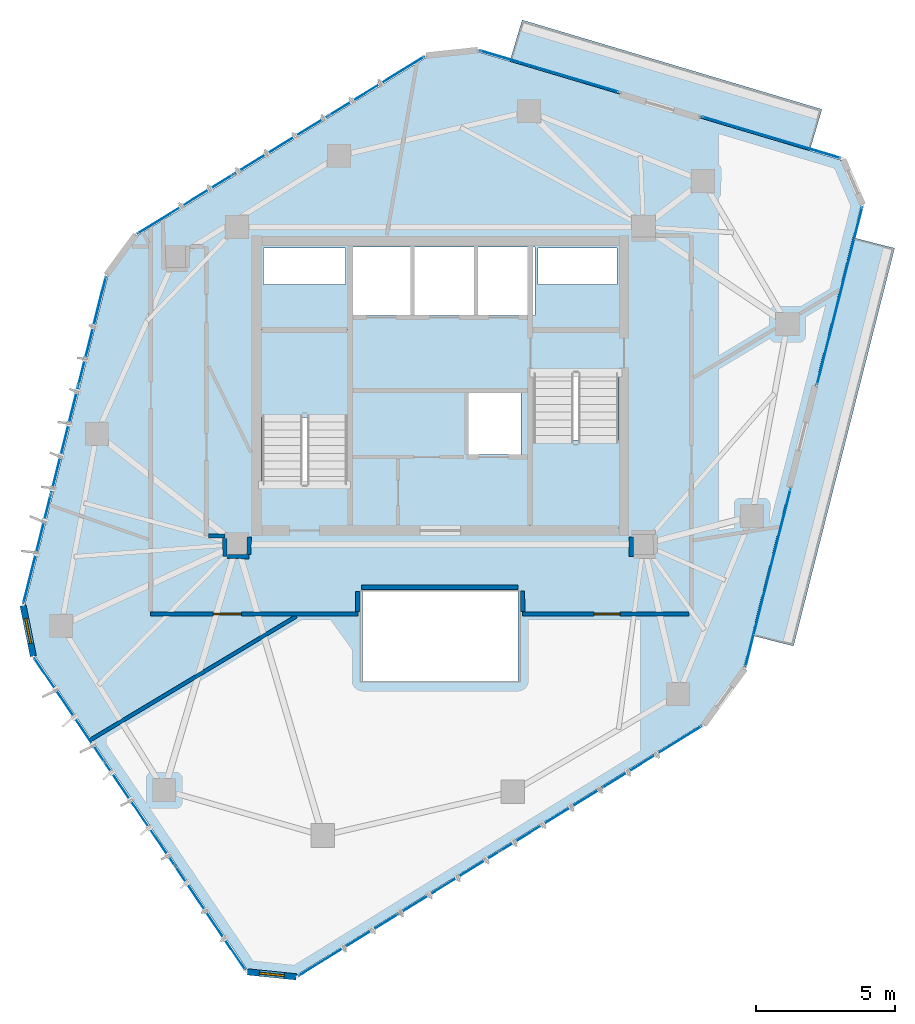
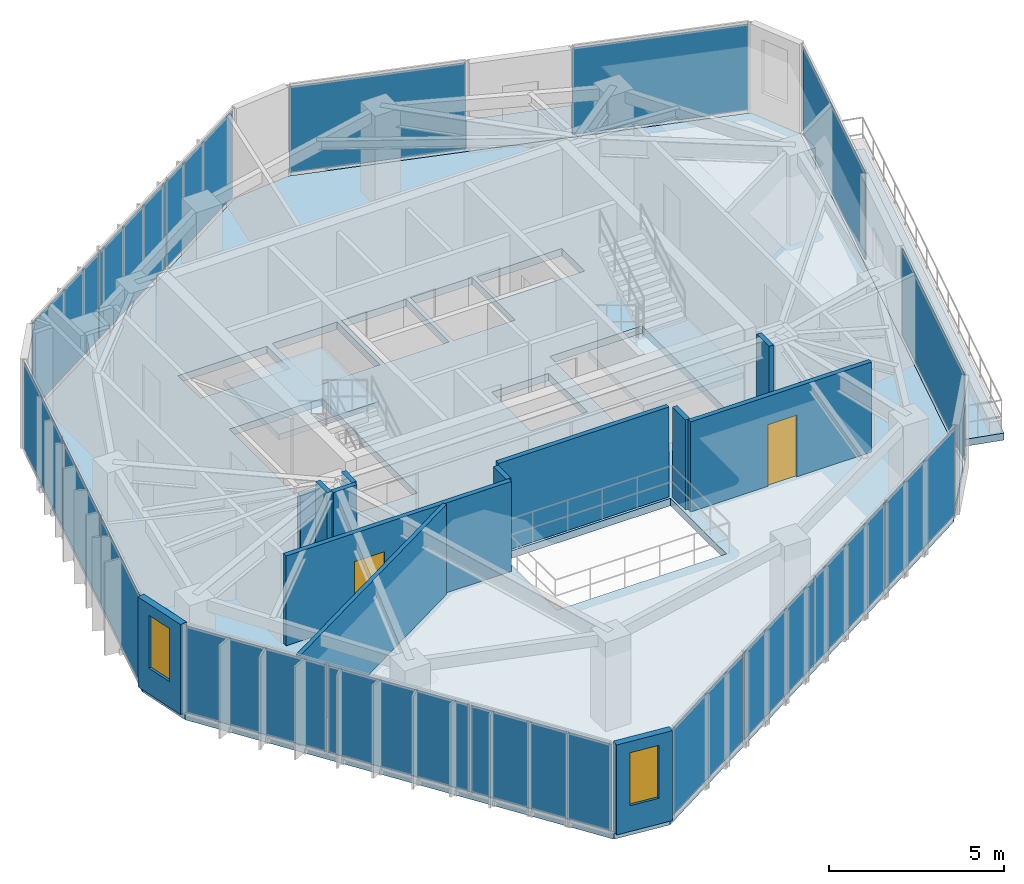
# One storey, part 16 of 20: 17 plates, 13 walls, 5 slabs, 2 doors, 2 windows, 4 openings, 10 elements without a shape of their own.
"""IFC4 building model written with IfcOpenShell, lengths in metres."""

from ifc_helpers import new_model, si_unit, direction, frame, frame_2d, origin, origin_2d, place, context, subcontext, project, spatial, polyline, rectangle, outline, extrude, source, transform, mapped, material, layer, layer_set, type_object, type_shapes, element, fill, aggregate, save


model = new_model("IFC4")

# Units and contexts
model_context = context("Model", 3, precision=1e-05, world=origin(), true_north=direction((0.0, 1.0)))
body_context = subcontext(model_context, "Body", "Model", "MODEL_VIEW")
ifc_project = project(units=[si_unit("LENGTHUNIT", "METRE"), si_unit("AREAUNIT", "SQUARE_METRE"), si_unit("VOLUMEUNIT", "CUBIC_METRE"), si_unit("PLANEANGLEUNIT", "RADIAN"), si_unit("MASSUNIT", "GRAM", prefix="KILO")], contexts=[model_context])

# Site, building, storey
site_placement = place(None, origin())
site = spatial("IfcSite", under=ifc_project, at=site_placement, CompositionType="ELEMENT")
building_placement = place(site_placement, origin())
building = spatial("IfcBuilding", under=site, at=building_placement, Name="Talar Marvaseh", CompositionType="ELEMENT")
storey_placement = place(building_placement, frame((0.0, 0.0, 251.0)))
storey = spatial("IfcBuildingStorey", under=building, at=storey_placement, Name="L66", CompositionType="ELEMENT", Elevation=251.0)

# Slabs
ifc_material_1 = material(Name="Concrete C40/50", Category="concrete")
ifc_layer_1 = layer(ifc_material_1, 0.2451171875)
ifc_layer_set_1 = layer_set([ifc_layer_1], Name="Concrete C40/50")
slab_type_1 = type_object("IfcSlabType", Name="External Cantilevered Planted Terrace Slab 245", PredefinedType="FLOOR", material=ifc_layer_set_1)
slab_1_placement = place(storey_placement, frame((0.0, 0.0, -0.2451171875)))
element("IfcSlab", 1, at=slab_1_placement, inside=storey, type_object=slab_type_1, Name="L66 Planted Balcony Terrace 1", PredefinedType="FLOOR", context=body_context, shape_type="SweptSolid", body=[
    extrude(outline(polyline([(28.500732421875, 42.84912109375), (39.267333984375, 39.64013671875), (39.710205078125, 41.12548828125), (28.943359375, 44.33447265625), (28.500732421875, 42.84912109375)])), origin(), (0.0, 0.0, 1.0), 0.2451171875),
])
slab_2_placement = place(storey_placement, frame((0.0, 0.0, -0.2451171875)))
element("IfcSlab", 2, at=slab_2_placement, inside=storey, type_object=slab_type_1, Name="L66 Planted Balcony Terrace 2", PredefinedType="FLOOR", context=body_context, shape_type="SweptSolid", body=[
    extrude(outline(polyline([(40.81787109375, 36.52001953125), (37.186279296875, 22.229248046875), (38.6884765625, 21.847412109375), (42.3203125, 36.13818359375), (40.81787109375, 36.52001953125)])), origin(), (0.0, 0.0, 1.0), 0.2451171875),
])

# Stair, slab
stair_type = type_object("IfcStairType", Name="Reinforced Concrete High-Rise Exit Stair Type C", PredefinedType="HALF_TURN_STAIR", material=ifc_material_1)
stair_1_placement = place(storey_placement, origin())
stair_1 = element("IfcStair", 3, at=stair_1_placement, inside=storey, type_object=stair_type, Name="L66 Tower West Core Exit Stair", PredefinedType="HALF_TURN_STAIR")
ifc_layer_2 = layer(ifc_material_1, 0.199951171875)
ifc_layer_set_2 = layer_set([ifc_layer_2], Name="Concrete C40/50")
slab_type_2 = type_object("IfcSlabType", Name="Reinforced Concrete Stair Half-Landing Slab 200", PredefinedType="LANDING", material=ifc_layer_set_2)
slab_3_placement = place(storey_placement, frame((0.0, 0.0, 1.5)))
slab_3 = element("IfcSlab", 4, at=slab_3_placement, type_object=slab_type_2, Name="ST-1 landing 1", PredefinedType="LANDING", context=body_context, shape_type="SweptSolid", body=[
    extrude(outline(polyline([(22.780029296875, 30.050048828125), (22.780029296875, 33.219970703125), (19.47998046875, 33.219970703125), (19.47998046875, 30.050048828125), (22.780029296875, 30.050048828125)])), origin(), (0.0, 0.0, 1.0), 0.199951171875),
])
aggregate(stair_1, [slab_3])

stair_2_placement = place(storey_placement, origin())
stair_2 = element("IfcStair", 5, at=stair_2_placement, inside=storey, type_object=stair_type, Name="L66 Tower East Core Exit Stair", PredefinedType="HALF_TURN_STAIR")
slab_4_placement = place(storey_placement, frame((0.0, 0.0, 1.5)))
slab_4 = element("IfcSlab", 6, at=slab_4_placement, type_object=slab_type_2, Name="ST-2 landing 1", PredefinedType="LANDING", context=body_context, shape_type="SweptSolid", body=[
    extrude(outline(polyline([(29.219970703125, 29.25), (29.219970703125, 26.080078125), (32.52001953125, 26.080078125), (32.52001953125, 29.25), (29.219970703125, 29.25)])), origin(), (0.0, 0.0, 1.0), 0.199951171875),
])
aggregate(stair_2, [slab_4])

# Slab
ifc_layer_3 = layer(ifc_material_1, 0.260009765625)
ifc_layer_set_3 = layer_set([ifc_layer_3], Name="Concrete C40/50")
slab_type_3 = type_object("IfcSlabType", Name="Structural Suspended Floor Slab 260", PredefinedType="FLOOR", material=ifc_layer_set_3)
slab_5_placement = place(storey_placement, frame((0.0, 0.0, -0.260009765625)))
element("IfcSlab", 7, at=slab_5_placement, inside=storey, type_object=slab_type_3, Name="L66 Tower Floor Slab", PredefinedType="FLOOR", context=body_context, shape_type="SweptSolid", body=[
    extrude(outline(polyline([(20.8330078125, 10.02392578125), (19.083984375, 10.202392578125), (11.440673828125, 21.4931640625), (11.074462890625, 23.313232421875), (14.06494140625, 35.147216796875), (15.117919921875, 36.5830078125), (25.5048828125, 42.99365234375), (27.3505859375, 43.19189453125), (40.41748046875, 39.29736328125), (41.113525390625, 37.68310546875), (36.890625, 21.066162109375), (35.410888671875, 19.048095703125), (20.8330078125, 10.02392578125)]), holes=[polyline([(22.659912109375, 27.64990234375), (22.659912109375, 33.10009765625), (19.60009765625, 33.10009765625), (19.60009765625, 27.64990234375), (22.659912109375, 27.64990234375)]), polyline([(29.340087890625, 31.64990234375), (29.340087890625, 26.199951171875), (32.39990234375, 26.199951171875), (32.39990234375, 31.64990234375), (29.340087890625, 31.64990234375)]), polyline([(22.800048828125, 33.719970703125), (24.93994140625, 33.719970703125), (24.93994140625, 36.179931640625), (22.800048828125, 36.179931640625), (22.800048828125, 33.719970703125)]), polyline([(25.080078125, 33.719970703125), (27.219970703125, 33.719970703125), (27.219970703125, 36.179931640625), (25.080078125, 36.179931640625), (25.080078125, 33.719970703125)]), polyline([(27.360107421875, 33.719970703125), (29.39990234375, 33.719970703125), (29.39990234375, 36.179931640625), (27.360107421875, 36.179931640625), (27.360107421875, 33.719970703125)]), polyline([(27.02001953125, 28.719970703125), (28.89990234375, 28.719970703125), (28.89990234375, 30.93994140625), (27.02001953125, 30.93994140625), (27.02001953125, 28.719970703125)]), polyline([(19.659912109375, 34.840087890625), (22.60009765625, 34.840087890625), (22.60009765625, 36.139892578125), (19.659912109375, 36.139892578125), (19.659912109375, 34.840087890625)]), polyline([(29.52001953125, 34.840087890625), (32.340087890625, 34.840087890625), (32.340087890625, 36.139892578125), (29.52001953125, 36.139892578125), (29.52001953125, 34.840087890625)]), polyline([(23.199951171875, 20.60009765625), (28.800048828125, 20.60009765625), (28.800048828125, 23.800048828125), (23.199951171875, 23.800048828125), (23.199951171875, 20.60009765625)])]), origin(), (0.0, 0.0, 1.0), 0.260009765625),
])

# Curtain wall, plates
ifc_material_2 = material(Name="Architectural Aluminium", Category="aluminium")
ifc_layer_4 = layer(ifc_material_2, 0.179931640625)
ifc_layer_set_4 = layer_set([ifc_layer_4], Name="Architectural Aluminium")
curtain_wall_type = type_object("IfcCurtainWallType", Name="Unitised High-Wind Sky Curtain Wall Z4", PredefinedType="NOTDEFINED", material=ifc_layer_set_4)
curtain_wall_1_placement = place(storey_placement, origin())
curtain_wall_1 = element("IfcCurtainWall", 8, at=curtain_wall_1_placement, inside=storey, type_object=curtain_wall_type, Name="L66 Unitised High-Wind Sky Curtain Wall Z4", PredefinedType="NOTDEFINED")
ifc_material_3 = material(Name="Laminated Low-E Solar Glass", Category="glass")
ifc_layer_5 = layer(ifc_material_3, 0.028076171875)
ifc_layer_set_5 = layer_set([ifc_layer_5], Name="Laminated Low-E Solar Glass")
plate_type = type_object("IfcPlateType", Name="Double-Glazed Low-E Vision Curtain Panel 28", PredefinedType="CURTAIN_PANEL", material=ifc_layer_set_5)
shared_shape_1 = source(origin(), body_context, "Body", "SweptSolid", [
    extrude(rectangle(XDim=4.447509765625, YDim=0.028076171875, at=origin_2d()), origin(), (0.0, 0.0, 1.0), 3.010009765625),
])
plate_1_placement = place(storey_placement, frame((17.75146484375, 12.06396484375, 0.06494140625), z_axis=(0.0, 0.0, 1.0), x_axis=(-0.560582970612, 0.828098262925, 0.0)))
plate_1 = element("IfcPlate", 9, at=plate_1_placement, type_object=plate_type, Name="CW-Z4 panel 1.1", PredefinedType="CURTAIN_PANEL", context=body_context, shape_type="MappedRepresentation", body=[
    mapped(shared_shape_1, transform((0.0, 0.0, 0.0), x_axis=(1.0, 0.0, 0.0), y_axis=(0.0, 1.0, 0.0), z_axis=(0.0, 0.0, 1.0), scale=1.0)),
])
plate_2_placement = place(storey_placement, frame((12.674072265625, 19.564208984375, 0.06494140625), z_axis=(0.0, 0.0, 1.0), x_axis=(-0.560582970612, 0.828098262925, 0.0)))
plate_2 = element("IfcPlate", 10, at=plate_2_placement, type_object=plate_type, Name="CW-Z4 panel 3.1", PredefinedType="CURTAIN_PANEL", context=body_context, shape_type="MappedRepresentation", body=[
    mapped(shared_shape_1, transform((0.0, 0.0, 0.0), x_axis=(1.0, 0.0, 0.0), y_axis=(0.0, 1.0, 0.0), z_axis=(0.0, 0.0, 1.0), scale=1.0)),
])
shared_shape_2 = source(origin(), body_context, "Body", "SweptSolid", [
    extrude(rectangle(XDim=4.47998046875, YDim=0.028076171875, at=origin_2d()), origin(), (0.0, 0.0, 1.0), 3.010009765625),
])
plate_3_placement = place(storey_placement, frame((15.212646484375, 15.814208984375, 0.06494140625), z_axis=(0.0, 0.0, 1.0), x_axis=(-0.560582970612, 0.828098262925, 0.0)))
plate_3 = element("IfcPlate", 11, at=plate_3_placement, type_object=plate_type, Name="CW-Z4 panel 2.1", PredefinedType="CURTAIN_PANEL", context=body_context, shape_type="MappedRepresentation", body=[
    mapped(shared_shape_2, transform((0.0, 0.0, 0.0), x_axis=(1.0, 0.0, 0.0), y_axis=(0.0, 1.0, 0.0), z_axis=(0.0, 0.0, 1.0), scale=1.0)),
])
aggregate(curtain_wall_1, [plate_1, plate_3, plate_2])

curtain_wall_2_placement = place(storey_placement, origin())
curtain_wall_2 = element("IfcCurtainWall", 12, at=curtain_wall_2_placement, inside=storey, type_object=curtain_wall_type, Name="L66 Unitised High-Wind Sky Curtain Wall Z4", PredefinedType="NOTDEFINED")
shared_shape_3 = source(origin(), body_context, "Body", "SweptSolid", [
    extrude(rectangle(XDim=3.97119140625, YDim=0.028076171875, at=origin_2d()), origin(), (0.0, 0.0, 1.0), 3.010009765625),
])
plate_4_placement = place(storey_placement, frame((11.518798828125, 25.31591796875, 0.06494140625), z_axis=(0.0, 0.0, 1.0), x_axis=(0.245002284933, 0.969522501223, 0.0)))
plate_4 = element("IfcPlate", 13, at=plate_4_placement, type_object=plate_type, Name="CW-Z4 panel 1.1", PredefinedType="CURTAIN_PANEL", context=body_context, shape_type="MappedRepresentation", body=[
    mapped(shared_shape_3, transform((0.0, 0.0, 0.0), x_axis=(1.0, 0.0, 0.0), y_axis=(0.0, 1.0, 0.0), z_axis=(0.0, 0.0, 1.0), scale=1.0)),
])
plate_5_placement = place(storey_placement, frame((13.50439453125, 33.173828125, 0.06494140625), z_axis=(0.0, 0.0, 1.0), x_axis=(0.245002284933, 0.969522501223, 0.0)))
plate_5 = element("IfcPlate", 14, at=plate_5_placement, type_object=plate_type, Name="CW-Z4 panel 3.1", PredefinedType="CURTAIN_PANEL", context=body_context, shape_type="MappedRepresentation", body=[
    mapped(shared_shape_3, transform((0.0, 0.0, 0.0), x_axis=(1.0, 0.0, 0.0), y_axis=(0.0, 1.0, 0.0), z_axis=(0.0, 0.0, 1.0), scale=1.0)),
])

curtain_wall_3_placement = place(storey_placement, origin())
curtain_wall_3 = element("IfcCurtainWall", 15, at=curtain_wall_3_placement, inside=storey, type_object=curtain_wall_type, Name="L66 Unitised High-Wind Sky Curtain Wall Z4", PredefinedType="NOTDEFINED")
plate_6_placement = place(storey_placement, frame((16.831298828125, 37.711181640625, 0.06494140625), z_axis=(0.0, 0.0, 1.0), x_axis=(0.850977428238, 0.52520226259, 0.0)))
plate_6 = element("IfcPlate", 16, at=plate_6_placement, type_object=plate_type, Name="CW-Z4 panel 1.1", PredefinedType="CURTAIN_PANEL", context=body_context, shape_type="MappedRepresentation", body=[
    mapped(shared_shape_3, transform((0.0, 0.0, 0.0), x_axis=(1.0, 0.0, 0.0), y_axis=(0.0, 1.0, 0.0), z_axis=(0.0, 0.0, 1.0), scale=1.0)),
])
plate_7_placement = place(storey_placement, frame((23.728271484375, 41.9677734375, 0.06494140625), z_axis=(0.0, 0.0, 1.0), x_axis=(0.850977428238, 0.52520226259, 0.0)))
plate_7 = element("IfcPlate", 17, at=plate_7_placement, type_object=plate_type, Name="CW-Z4 panel 3.1", PredefinedType="CURTAIN_PANEL", context=body_context, shape_type="MappedRepresentation", body=[
    mapped(shared_shape_3, transform((0.0, 0.0, 0.0), x_axis=(1.0, 0.0, 0.0), y_axis=(0.0, 1.0, 0.0), z_axis=(0.0, 0.0, 1.0), scale=1.0)),
])

# Plate
shared_shape_4 = source(origin(), body_context, "Body", "SweptSolid", [
    extrude(rectangle(XDim=4.003662109375, YDim=0.028076171875, at=origin_2d()), origin(), (0.0, 0.0, 1.0), 3.010009765625),
])
plate_8_placement = place(storey_placement, frame((12.511474609375, 29.244873046875, 0.06494140625), z_axis=(0.0, 0.0, 1.0), x_axis=(0.245002284933, 0.969522501223, 0.0)))
plate_8 = element("IfcPlate", 18, at=plate_8_placement, type_object=plate_type, Name="CW-Z4 panel 2.1", PredefinedType="CURTAIN_PANEL", context=body_context, shape_type="MappedRepresentation", body=[
    mapped(shared_shape_4, transform((0.0, 0.0, 0.0), x_axis=(1.0, 0.0, 0.0), y_axis=(0.0, 1.0, 0.0), z_axis=(0.0, 0.0, 1.0), scale=1.0)),
])

aggregate(curtain_wall_2, [plate_4, plate_8, plate_5])

plate_9_placement = place(storey_placement, frame((20.27978515625, 39.839599609375, 0.06494140625), z_axis=(0.0, 0.0, 1.0), x_axis=(0.850977428238, 0.52520226259, 0.0)))
plate_9 = element("IfcPlate", 19, at=plate_9_placement, type_object=plate_type, Name="CW-Z4 panel 2.1", PredefinedType="CURTAIN_PANEL", context=body_context, shape_type="MappedRepresentation", body=[
    mapped(shared_shape_4, transform((0.0, 0.0, 0.0), x_axis=(1.0, 0.0, 0.0), y_axis=(0.0, 1.0, 0.0), z_axis=(0.0, 0.0, 1.0), scale=1.0)),
])

aggregate(curtain_wall_3, [plate_6, plate_9, plate_7])

# Curtain wall, plates
curtain_wall_4_placement = place(storey_placement, origin())
curtain_wall_4 = element("IfcCurtainWall", 20, at=curtain_wall_4_placement, inside=storey, type_object=curtain_wall_type, Name="L66 Unitised High-Wind Sky Curtain Wall Z4", PredefinedType="NOTDEFINED")
shared_shape_5 = source(origin(), body_context, "Body", "SweptSolid", [
    extrude(rectangle(XDim=4.188720703125, YDim=0.028076171875, at=origin_2d()), origin(), (0.0, 0.0, 1.0), 3.010009765625),
])
plate_10_placement = place(storey_placement, frame((33.6064453125, 17.860595703125, 0.06494140625), z_axis=(0.0, 0.0, 1.0), x_axis=(-0.850268129899, -0.526349795552, 0.0)))
plate_10 = element("IfcPlate", 21, at=plate_10_placement, type_object=plate_type, Name="CW-Z4 panel 1.1", PredefinedType="CURTAIN_PANEL", context=body_context, shape_type="MappedRepresentation", body=[
    mapped(shared_shape_5, transform((0.0, 0.0, 0.0), x_axis=(1.0, 0.0, 0.0), y_axis=(0.0, 1.0, 0.0), z_axis=(0.0, 0.0, 1.0), scale=1.0)),
])
plate_11_placement = place(storey_placement, frame((22.70068359375, 11.109375, 0.06494140625), z_axis=(0.0, 0.0, 1.0), x_axis=(-0.850268129899, -0.526349795552, 0.0)))
plate_11 = element("IfcPlate", 22, at=plate_11_placement, type_object=plate_type, Name="CW-Z4 panel 4.1", PredefinedType="CURTAIN_PANEL", context=body_context, shape_type="MappedRepresentation", body=[
    mapped(shared_shape_5, transform((0.0, 0.0, 0.0), x_axis=(1.0, 0.0, 0.0), y_axis=(0.0, 1.0, 0.0), z_axis=(0.0, 0.0, 1.0), scale=1.0)),
])
shared_shape_6 = source(origin(), body_context, "Body", "SweptSolid", [
    extrude(rectangle(XDim=4.22119140625, YDim=0.028076171875, at=origin_2d()), origin(), (0.0, 0.0, 1.0), 3.010009765625),
])
plate_12_placement = place(storey_placement, frame((29.975830078125, 15.613037109375, 0.06494140625), z_axis=(0.0, 0.0, 1.0), x_axis=(-0.850268129899, -0.526349795552, 0.0)))
plate_12 = element("IfcPlate", 23, at=plate_12_placement, type_object=plate_type, Name="CW-Z4 panel 2.1", PredefinedType="CURTAIN_PANEL", context=body_context, shape_type="MappedRepresentation", body=[
    mapped(shared_shape_6, transform((0.0, 0.0, 0.0), x_axis=(1.0, 0.0, 0.0), y_axis=(0.0, 1.0, 0.0), z_axis=(0.0, 0.0, 1.0), scale=1.0)),
])
plate_13_placement = place(storey_placement, frame((26.331298828125, 13.35693359375, 0.06494140625), z_axis=(0.0, 0.0, 1.0), x_axis=(-0.850268129899, -0.526349795552, 0.0)))
plate_13 = element("IfcPlate", 24, at=plate_13_placement, type_object=plate_type, Name="CW-Z4 panel 3.1", PredefinedType="CURTAIN_PANEL", context=body_context, shape_type="MappedRepresentation", body=[
    mapped(shared_shape_6, transform((0.0, 0.0, 0.0), x_axis=(1.0, 0.0, 0.0), y_axis=(0.0, 1.0, 0.0), z_axis=(0.0, 0.0, 1.0), scale=1.0)),
])
aggregate(curtain_wall_4, [plate_10, plate_12, plate_13, plate_11])

# Curtain wall, plate
curtain_wall_5_placement = place(storey_placement, origin())
curtain_wall_5 = element("IfcCurtainWall", 25, at=curtain_wall_5_placement, inside=storey, type_object=curtain_wall_type, Name="L66 Unitised High-Wind Sky Curtain Wall Z4", PredefinedType="NOTDEFINED")
shared_shape_7 = source(origin(), body_context, "Body", "SweptSolid", [
    extrude(rectangle(XDim=5.1875, YDim=0.028076171875, at=origin_2d()), origin(), (0.0, 0.0, 1.0), 3.010009765625),
])
plate_14_placement = place(storey_placement, frame((29.915771484375, 42.489990234375, 0.06494140625), z_axis=(0.0, 0.0, 1.0), x_axis=(0.958342321507, -0.285622118907, 0.0)))
plate_14 = element("IfcPlate", 26, at=plate_14_placement, type_object=plate_type, Name="CW-Z4 panel 1.1", PredefinedType="CURTAIN_PANEL", context=body_context, shape_type="MappedRepresentation", body=[
    mapped(shared_shape_7, transform((0.0, 0.0, 0.0), x_axis=(1.0, 0.0, 0.0), y_axis=(0.0, 1.0, 0.0), z_axis=(0.0, 0.0, 1.0), scale=1.0)),
])
aggregate(curtain_wall_5, [plate_14])

curtain_wall_6_placement = place(storey_placement, origin())
curtain_wall_6 = element("IfcCurtainWall", 27, at=curtain_wall_6_placement, inside=storey, type_object=curtain_wall_type, Name="L66 Unitised High-Wind Sky Curtain Wall Z4", PredefinedType="NOTDEFINED")
plate_15_placement = place(storey_placement, frame((37.886474609375, 40.1142578125, 0.06494140625), z_axis=(0.0, 0.0, 1.0), x_axis=(0.958342321507, -0.285622118907, 0.0)))
plate_15 = element("IfcPlate", 28, at=plate_15_placement, type_object=plate_type, Name="CW-Z4 panel 1.1", PredefinedType="CURTAIN_PANEL", context=body_context, shape_type="MappedRepresentation", body=[
    mapped(shared_shape_7, transform((0.0, 0.0, 0.0), x_axis=(1.0, 0.0, 0.0), y_axis=(0.0, 1.0, 0.0), z_axis=(0.0, 0.0, 1.0), scale=1.0)),
])
aggregate(curtain_wall_6, [plate_15])

curtain_wall_7_placement = place(storey_placement, origin())
curtain_wall_7 = element("IfcCurtainWall", 29, at=curtain_wall_7_placement, inside=storey, type_object=curtain_wall_type, Name="L66 Unitised High-Wind Sky Curtain Wall Z4", PredefinedType="NOTDEFINED")
shared_shape_8 = source(origin(), body_context, "Body", "SweptSolid", [
    extrude(rectangle(XDim=6.556640625, YDim=0.028076171875, at=origin_2d()), origin(), (0.0, 0.0, 1.0), 3.010009765625),
])
type_shapes(plate_type, [shared_shape_1, shared_shape_2, shared_shape_3, shared_shape_4, shared_shape_5, shared_shape_6, shared_shape_7, shared_shape_8])
plate_16_placement = place(storey_placement, frame((40.34814453125, 34.427978515625, 0.06494140625), z_axis=(0.0, 0.0, 1.0), x_axis=(-0.246299017878, -0.969193888648, 0.0)))
plate_16 = element("IfcPlate", 30, at=plate_16_placement, type_object=plate_type, Name="CW-Z4 panel 1.1", PredefinedType="CURTAIN_PANEL", context=body_context, shape_type="MappedRepresentation", body=[
    mapped(shared_shape_8, transform((0.0, 0.0, 0.0), x_axis=(1.0, 0.0, 0.0), y_axis=(0.0, 1.0, 0.0), z_axis=(0.0, 0.0, 1.0), scale=1.0)),
])
aggregate(curtain_wall_7, [plate_16])

curtain_wall_8_placement = place(storey_placement, origin())
curtain_wall_8 = element("IfcCurtainWall", 31, at=curtain_wall_8_placement, inside=storey, type_object=curtain_wall_type, Name="L66 Unitised High-Wind Sky Curtain Wall Z4", PredefinedType="NOTDEFINED")
plate_17_placement = place(storey_placement, frame((37.772216796875, 24.291748046875, 0.06494140625), z_axis=(0.0, 0.0, 1.0), x_axis=(-0.246299017878, -0.969193888648, 0.0)))
plate_17 = element("IfcPlate", 32, at=plate_17_placement, type_object=plate_type, Name="CW-Z4 panel 1.1", PredefinedType="CURTAIN_PANEL", context=body_context, shape_type="MappedRepresentation", body=[
    mapped(shared_shape_8, transform((0.0, 0.0, 0.0), x_axis=(1.0, 0.0, 0.0), y_axis=(0.0, 1.0, 0.0), z_axis=(0.0, 0.0, 1.0), scale=1.0)),
])
aggregate(curtain_wall_8, [plate_17])

# Wall, opening, window
ifc_material_4 = material(Name="Precast concrete C45/55", Category="concrete")
ifc_layer_6 = layer(ifc_material_4, 0.22509765625)
ifc_layer_set_6 = layer_set([ifc_layer_6], Name="Precast concrete C45/55")
wall_type_1 = type_object("IfcWallType", Name="Chamfered Hexagonal Corner Pier Wall Z4 225", PredefinedType="SOLIDWALL", material=ifc_layer_set_6)
wall_1_placement = place(storey_placement, frame((20.826904296875, 9.964111328125, 0.0), z_axis=(0.0, 0.0, 1.0), x_axis=(-0.99483442873, 0.101510883222, 0.0)))
wall_1 = element("IfcWall", 33, at=wall_1_placement, inside=storey, type_object=wall_type_1, Name="L66 Chamfered Corner Limestone Pier 1", PredefinedType="SOLIDWALL", context=body_context, shape_type="SweptSolid", body=[
    extrude(rectangle(XDim=1.758056640625, YDim=0.22509765625, at=frame_2d((0.87890625, 0.0))), origin(), (0.0, 0.0, 1.0), 3.139892578125),
])
opening_1_placement = place(wall_1_placement, frame((0.428955078125, 0.0, 0.89990234375)))
opening_1 = element("IfcOpeningElement", 34, at=opening_1_placement, cuts=wall_1, Name="Opening WN-CHM09", PredefinedType="OPENING", context=body_context, shape_type="SweptSolid", body=[
    extrude(rectangle(XDim=0.89990234375, YDim=1.85009765625, at=frame_2d((0.449951171875, 0.925048828125))), frame((0.0, 0.12255859375, 0.0), z_axis=(0.0, -1.0, 0.0), x_axis=(1.0, 0.0, 0.0)), (0.0, 0.0, 1.0), 0.2451171875),
])
window_type = type_object("IfcWindowType", Name="Zone 4 Chamfered Corner Slot Window 900x1850", PartitioningType="SINGLE_PANEL", PredefinedType="WINDOW", material=ifc_material_3)
shared_shape_9 = source(origin(), body_context, "Body", "SweptSolid", [
    extrude(rectangle(XDim=0.89990234375, YDim=1.85009765625, at=frame_2d((0.449951171875, 0.925048828125))), frame((0.0, 0.030029296875, 0.0), z_axis=(0.0, -1.0, 0.0), x_axis=(1.0, 0.0, 0.0)), (0.0, 0.0, 1.0), 0.06005859375),
])
type_shapes(window_type, [shared_shape_9])
window_1_placement = place(opening_1_placement, origin())
window_1 = element("IfcWindow", 35, at=window_1_placement, inside=storey, type_object=window_type, Name="L66 Chamfered Corner Slot Window", OverallHeight=1.85009765625, OverallWidth=0.89990234375, PartitioningType="SINGLE_PANEL", PredefinedType="WINDOW", context=body_context, shape_type="MappedRepresentation", body=[
    mapped(shared_shape_9, transform((0.0, 0.0, 0.0), x_axis=(1.0, 0.0, 0.0), y_axis=(0.0, 1.0, 0.0), z_axis=(0.0, 0.0, 1.0), scale=1.0)),
])
fill(opening_1, window_1)

wall_2_placement = place(storey_placement, frame((11.3818359375, 21.4814453125, 0.0), z_axis=(0.0, 0.0, 1.0), x_axis=(-0.197254006954, 0.980352414563, 0.0)))
wall_2 = element("IfcWall", 36, at=wall_2_placement, inside=storey, type_object=wall_type_1, Name="L66 Chamfered Corner Limestone Pier 2", PredefinedType="SOLIDWALL", context=body_context, shape_type="SweptSolid", body=[
    extrude(rectangle(XDim=1.8564453125, YDim=0.22509765625, at=frame_2d((0.92822265625, 0.0))), origin(), (0.0, 0.0, 1.0), 3.139892578125),
])
opening_2_placement = place(wall_2_placement, frame((0.47802734375, 0.0, 0.89990234375)))
opening_2 = element("IfcOpeningElement", 37, at=opening_2_placement, cuts=wall_2, Name="Opening WN-CHM09", PredefinedType="OPENING", context=body_context, shape_type="SweptSolid", body=[
    extrude(rectangle(XDim=0.89990234375, YDim=1.85009765625, at=frame_2d((0.449951171875, 0.925048828125))), frame((0.0, 0.12255859375, 0.0), z_axis=(0.0, -1.0, 0.0), x_axis=(1.0, 0.0, 0.0)), (0.0, 0.0, 1.0), 0.2451171875),
])
window_2_placement = place(opening_2_placement, origin())
window_2 = element("IfcWindow", 38, at=window_2_placement, inside=storey, type_object=window_type, Name="L66 Chamfered Corner Slot Window", OverallHeight=1.85009765625, OverallWidth=0.89990234375, PartitioningType="SINGLE_PANEL", PredefinedType="WINDOW", context=body_context, shape_type="MappedRepresentation", body=[
    mapped(shared_shape_9, transform((0.0, 0.0, 0.0), x_axis=(1.0, 0.0, 0.0), y_axis=(0.0, 1.0, 0.0), z_axis=(0.0, 0.0, 1.0), scale=1.0)),
])
fill(opening_2, window_2)

# Wall, opening, door
ifc_material_5 = material(Name="Gypsum Board Partition Assembly")
ifc_layer_7 = layer(ifc_material_5, 0.155029296875)
ifc_layer_set_7 = layer_set([ifc_layer_7], Name="Gypsum Board Partition Assembly")
wall_type_2 = type_object("IfcWallType", Name="Corridor Fire-Rated Acoustic Partition 155", PredefinedType="PARTITIONING", material=ifc_layer_set_7)
wall_3_placement = place(storey_placement, frame((34.9365234375, 23.0, 0.0), z_axis=(0.0, 0.0, 1.0), x_axis=(-1.0, 0.0, 0.0)))
wall_3 = element("IfcWall", 39, at=wall_3_placement, inside=storey, type_object=wall_type_2, Name="L66 Interior Partition Wall", PredefinedType="PARTITIONING", context=body_context, shape_type="SweptSolid", body=[
    extrude(rectangle(XDim=5.9765625, YDim=0.155029296875, at=frame_2d((2.98828125, 0.0))), origin(), (0.0, 0.0, 1.0), 3.139892578125),
])
opening_3_placement = place(wall_3_placement, frame((2.471435546875, 0.0, 0.0)))
opening_3 = element("IfcOpeningElement", 40, at=opening_3_placement, cuts=wall_3, Name="Opening DR-WC095", PredefinedType="OPENING", context=body_context, shape_type="SweptSolid", body=[
    extrude(rectangle(XDim=0.949951171875, YDim=2.14990234375, at=frame_2d((0.47509765625, 1.074951171875))), frame((0.0, 0.08740234375, 0.0), z_axis=(0.0, -1.0, 0.0), x_axis=(1.0, 0.0, 0.0)), (0.0, 0.0, 1.0), 0.175048828125),
])
ifc_material_6 = material(Name="Acoustic Engineered Oak Timber", Category="wood")
door_type_1 = type_object("IfcDoorType", Name="Washroom and Service Room Door 950x2150", OperationType="NOTDEFINED", PredefinedType="DOOR", material=ifc_material_6)
shared_shape_10 = source(origin(), body_context, "Body", "SweptSolid", [
    extrude(rectangle(XDim=0.949951171875, YDim=2.14990234375, at=frame_2d((0.47509765625, 1.074951171875))), frame((0.0, 0.02490234375, 0.0), z_axis=(0.0, -1.0, 0.0), x_axis=(1.0, 0.0, 0.0)), (0.0, 0.0, 1.0), 0.050048828125),
])
type_shapes(door_type_1, [shared_shape_10])
door_1_placement = place(opening_3_placement, origin())
door_1 = element("IfcDoor", 41, at=door_1_placement, inside=storey, type_object=door_type_1, Name="L66 Rare Books Archive Room Door", OperationType="SINGLE_SWING_RIGHT", OverallHeight=2.14990234375, OverallWidth=0.949951171875, PredefinedType="DOOR", context=body_context, shape_type="MappedRepresentation", body=[
    mapped(shared_shape_10, transform((0.0, 0.0, 0.0), x_axis=(1.0, 0.0, 0.0), y_axis=(0.0, 1.0, 0.0), z_axis=(0.0, 0.0, 1.0), scale=1.0)),
])
fill(opening_3, door_1)

wall_4_placement = place(storey_placement, frame((23.0400390625, 23.0, 0.0), z_axis=(0.0, 0.0, 1.0), x_axis=(-1.0, 0.0, 0.0)))
wall_4 = element("IfcWall", 42, at=wall_4_placement, inside=storey, type_object=wall_type_2, Name="L66 Interior Partition Wall", PredefinedType="PARTITIONING", context=body_context, shape_type="SweptSolid", body=[
    extrude(rectangle(XDim=7.43994140625, YDim=0.155029296875, at=frame_2d((3.719970703125, 0.0))), origin(), (0.0, 0.0, 1.0), 3.139892578125),
])
opening_4_placement = place(wall_4_placement, frame((4.18603515625, 0.0, 0.0)))
opening_4 = element("IfcOpeningElement", 43, at=opening_4_placement, cuts=wall_4, Name="Opening DR-RM100", PredefinedType="OPENING", context=body_context, shape_type="SweptSolid", body=[
    extrude(rectangle(XDim=1.0, YDim=2.14990234375, at=frame_2d((0.5, 1.074951171875))), frame((0.0, 0.08740234375, 0.0), z_axis=(0.0, -1.0, 0.0), x_axis=(1.0, 0.0, 0.0)), (0.0, 0.0, 1.0), 0.175048828125),
])
door_type_2 = type_object("IfcDoorType", Name="Corridor Fire-Rated Gallery Door 1000x2150", OperationType="NOTDEFINED", PredefinedType="DOOR", material=ifc_material_6)
shared_shape_11 = source(origin(), body_context, "Body", "SweptSolid", [
    extrude(rectangle(XDim=1.0, YDim=2.14990234375, at=frame_2d((0.5, 1.074951171875))), frame((0.0, 0.02490234375, 0.0), z_axis=(0.0, -1.0, 0.0), x_axis=(1.0, 0.0, 0.0)), (0.0, 0.0, 1.0), 0.050048828125),
])
type_shapes(door_type_2, [shared_shape_11])
door_2_placement = place(opening_4_placement, origin())
door_2 = element("IfcDoor", 44, at=door_2_placement, inside=storey, type_object=door_type_2, Name="L66 Museum Publication Bookshop Door", OperationType="SINGLE_SWING_LEFT", OverallHeight=2.14990234375, OverallWidth=1.0, PredefinedType="DOOR", context=body_context, shape_type="MappedRepresentation", body=[
    mapped(shared_shape_11, transform((0.0, 0.0, 0.0), x_axis=(1.0, 0.0, 0.0), y_axis=(0.0, 1.0, 0.0), z_axis=(0.0, 0.0, 1.0), scale=1.0)),
])
fill(opening_4, door_2)

# Walls
wall_5_placement = place(storey_placement, frame((17.68359375, 25.800048828125, 0.0), z_axis=(0.0, 0.0, 1.0), x_axis=(1.0, 0.0, 0.0)))
element("IfcWall", 45, at=wall_5_placement, inside=storey, type_object=wall_type_2, Name="L66 Interior Partition Wall", PredefinedType="PARTITIONING", context=body_context, shape_type="SweptSolid", body=[
    extrude(rectangle(XDim=0.576416015625, YDim=0.155029296875, at=frame_2d((0.2880859375, 0.0))), origin(), (0.0, 0.0, 1.0), 2.802001953125),
])
wall_6_placement = place(storey_placement, frame((18.260986328125, 25.716552734375, 0.0), z_axis=(0.0, 0.0, 1.0), x_axis=(0.010439401276, -0.999945507966, 0.0)))
element("IfcWall", 46, at=wall_6_placement, inside=storey, type_object=wall_type_2, Name="L66 Interior Partition Wall", PredefinedType="PARTITIONING", context=body_context, shape_type="SweptSolid", body=[
    extrude(rectangle(XDim=0.65478515625, YDim=0.155029296875, at=frame_2d((0.327392578125, 0.0))), origin(), (0.0, 0.0, 1.0), 3.139892578125),
])
wall_7_placement = place(storey_placement, frame((18.351318359375, 25.0615234375, 0.0), z_axis=(0.0, 0.0, 1.0), x_axis=(0.999998207633, -0.001893338355, 0.0)))
element("IfcWall", 47, at=wall_7_placement, inside=storey, type_object=wall_type_2, Name="L66 Interior Partition Wall", PredefinedType="PARTITIONING", context=body_context, shape_type="SweptSolid", body=[
    extrude(rectangle(XDim=0.773681640625, YDim=0.155029296875, at=frame_2d((0.38671875, 0.0))), origin(), (0.0, 0.0, 1.0), 3.139892578125),
])
wall_8_placement = place(storey_placement, frame((19.126708984375, 25.1435546875, 0.0), z_axis=(0.0, 0.0, 1.0), x_axis=(0.021238324089, 0.999774441357, 0.0)))
element("IfcWall", 48, at=wall_8_placement, inside=storey, type_object=wall_type_2, Name="L66 Interior Partition Wall", PredefinedType="PARTITIONING", context=body_context, shape_type="SweptSolid", body=[
    extrude(rectangle(XDim=0.620849609375, YDim=0.155029296875, at=frame_2d((0.310546875, 0.0))), origin(), (0.0, 0.0, 1.0), 3.139892578125),
])
wall_9_placement = place(storey_placement, frame((28.959716796875, 23.08349609375, 0.0), z_axis=(0.0, 0.0, 1.0), x_axis=(-0.003917697652, 0.999992325793, 0.0)))
element("IfcWall", 49, at=wall_9_placement, inside=storey, type_object=wall_type_2, Name="L66 Interior Partition Wall", PredefinedType="PARTITIONING", context=body_context, shape_type="SweptSolid", body=[
    extrude(rectangle(XDim=0.747802734375, YDim=0.155029296875, at=frame_2d((0.3740234375, 0.0))), origin(), (0.0, 0.0, 1.0), 3.139892578125),
])
wall_10_placement = place(storey_placement, frame((28.800048828125, 23.9599609375, 0.0), z_axis=(0.0, 0.0, 1.0), x_axis=(-0.999999841177, -0.000563600015, 0.0)))
element("IfcWall", 50, at=wall_10_placement, inside=storey, type_object=wall_type_2, Name="L66 Interior Partition Wall", PredefinedType="PARTITIONING", context=body_context, shape_type="SweptSolid", body=[
    extrude(rectangle(XDim=5.63134765625, YDim=0.155029296875, at=frame_2d((2.815673828125, 0.0))), origin(), (0.0, 0.0, 1.0), 3.139892578125),
])
wall_11_placement = place(storey_placement, frame((23.040771484375, 23.815673828125, 0.0), z_axis=(0.0, 0.0, 1.0), x_axis=(-0.001000332944, -0.999999499667, 0.0)))
element("IfcWall", 51, at=wall_11_placement, inside=storey, type_object=wall_type_2, Name="L66 Interior Partition Wall", PredefinedType="PARTITIONING", context=body_context, shape_type="SweptSolid", body=[
    extrude(rectangle(XDim=0.732177734375, YDim=0.155029296875, at=frame_2d((0.3662109375, 0.0))), origin(), (0.0, 0.0, 1.0), 3.139892578125),
])
wall_12_placement = place(storey_placement, frame((32.864501953125, 25.772705078125, 0.0), z_axis=(0.0, 0.0, 1.0), x_axis=(0.0, -1.0, 0.0)))
element("IfcWall", 52, at=wall_12_placement, inside=storey, type_object=wall_type_2, Name="L66 Interior Partition Wall", PredefinedType="PARTITIONING", context=body_context, shape_type="SweptSolid", body=[
    extrude(rectangle(XDim=0.708251953125, YDim=0.155029296875, at=frame_2d((0.35400390625, 0.0))), origin(), (0.0, 0.0, 1.0), 3.139892578125),
])
ifc_layer_8 = layer(ifc_material_5, 0.135009765625)
ifc_layer_set_8 = layer_set([ifc_layer_8], Name="Gypsum Board Partition Assembly")
wall_type_3 = type_object("IfcWallType", Name="Gallery High-Acoustic Partition 135", PredefinedType="PARTITIONING", material=ifc_layer_set_8)
wall_13_placement = place(storey_placement, frame((20.8310546875, 22.91650390625, 0.0), z_axis=(0.0, 0.0, 1.0), x_axis=(-0.857397967258, -0.514653986423, 0.0)))
element("IfcWall", 53, at=wall_13_placement, inside=storey, type_object=wall_type_3, Name="L66 Interior Partition Wall", PredefinedType="PARTITIONING", context=body_context, shape_type="SweptSolid", body=[
    extrude(rectangle(XDim=8.621826171875, YDim=0.135009765625, at=frame_2d((4.31103515625, 0.0))), origin(), (0.0, 0.0, 1.0), 3.139892578125),
])

save(model, "model.ifc")
